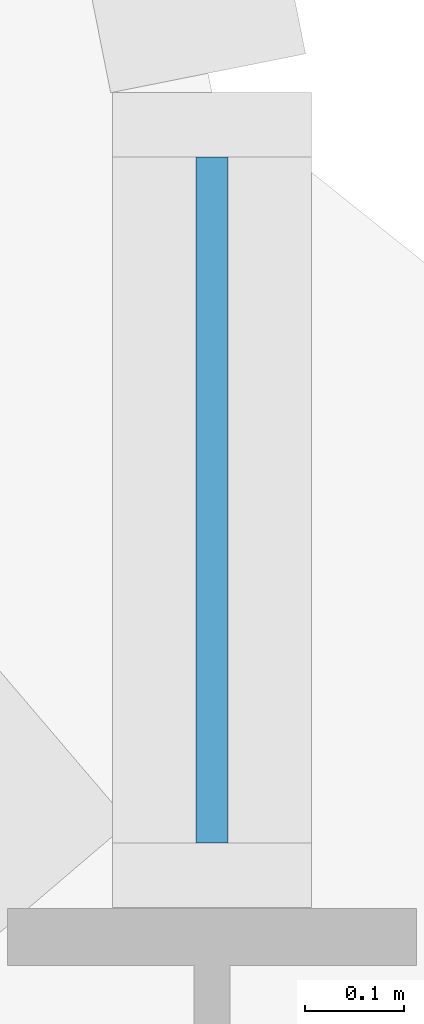
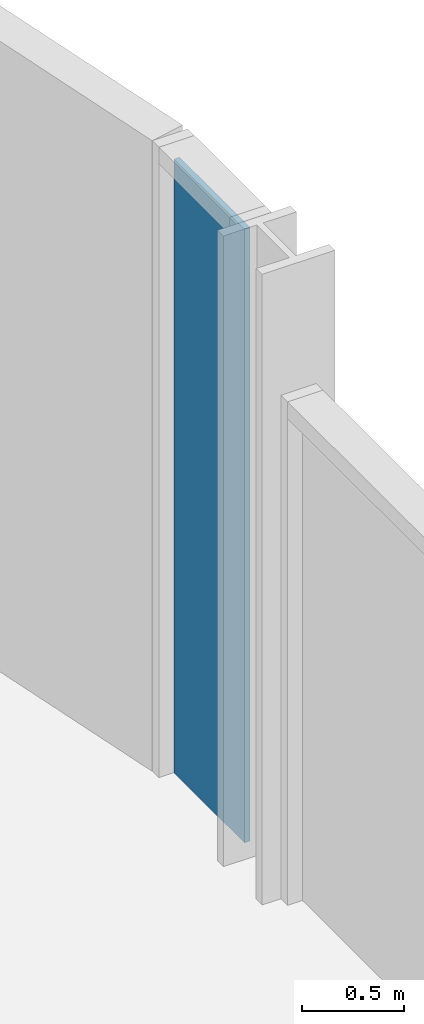
# One storey, part 12 of 29: 1 plate, 1 element without a shape of its own.
"""IFC4 building model written with IfcOpenShell, lengths in metres."""

from ifc_helpers import new_model, si_unit, direction, frame, origin, origin_2d, place, context, subcontext, project, spatial, rectangle, extrude, material, layer, layer_set, type_object, element, aggregate, save


model = new_model("IFC4")

# Units and contexts
model_context = context("Model", 3, precision=1e-05, world=origin(), true_north=direction((0.0, 1.0)))
body_context = subcontext(model_context, "Body", "Model", "MODEL_VIEW")
ifc_project = project(units=[si_unit("LENGTHUNIT", "METRE"), si_unit("AREAUNIT", "SQUARE_METRE"), si_unit("VOLUMEUNIT", "CUBIC_METRE"), si_unit("PLANEANGLEUNIT", "RADIAN"), si_unit("MASSUNIT", "GRAM", prefix="KILO")], contexts=[model_context])

# Site, building, storey
site_placement = place(None, origin())
site = spatial("IfcSite", under=ifc_project, at=site_placement, CompositionType="ELEMENT")
building_placement = place(site_placement, origin())
building = spatial("IfcBuilding", under=site, at=building_placement, Name="Mahtab Terrace Research Tower", CompositionType="ELEMENT")
storey_placement = place(building_placement, frame((0.0, 0.0, 146.60009765625)))
storey = spatial("IfcBuildingStorey", under=building, at=storey_placement, Name="L34", CompositionType="ELEMENT", Elevation=146.60009765625)

# Curtain wall, plate
ifc_material_1 = material(Name="Laboratory ribbon curtain wall")
curtain_wall_type = type_object("IfcCurtainWallType", Name="Laboratory ribbon curtain wall", PredefinedType="NOTDEFINED", material=ifc_material_1)
curtain_wall_placement = place(storey_placement, origin())
curtain_wall = element("IfcCurtainWall", 1, at=curtain_wall_placement, inside=storey, type_object=curtain_wall_type, Name="EN.L34.18.39", PredefinedType="NOTDEFINED")
ifc_material_2 = material(Name="Dark glazing", Category="glass")
ifc_layer = layer(ifc_material_2, 0.031982421875)
ifc_layer_set = layer_set([ifc_layer], Name="Laboratory ribbon curtain wall glazing panel")
plate_type = type_object("IfcPlateType", Name="Laboratory ribbon curtain wall glazing panel", PredefinedType="CURTAIN_PANEL", material=ifc_layer_set)
plate_placement = place(storey_placement, frame((48.0, 22.590087890625, 0.0), z_axis=(0.0, 0.0, 1.0), x_axis=(0.0, 1.0, 0.0)))
plate = element("IfcPlate", 2, at=plate_placement, type_object=plate_type, Name="CWL-4 panel 1", PredefinedType="CURTAIN_PANEL", context=body_context, shape_type="SweptSolid", body=[
    extrude(rectangle(XDim=0.68994140625, YDim=0.031982421875, at=origin_2d()), origin(), (0.0, 0.0, 1.0), 3.659912109375),
])
aggregate(curtain_wall, [plate])

save(model, "model.ifc")
